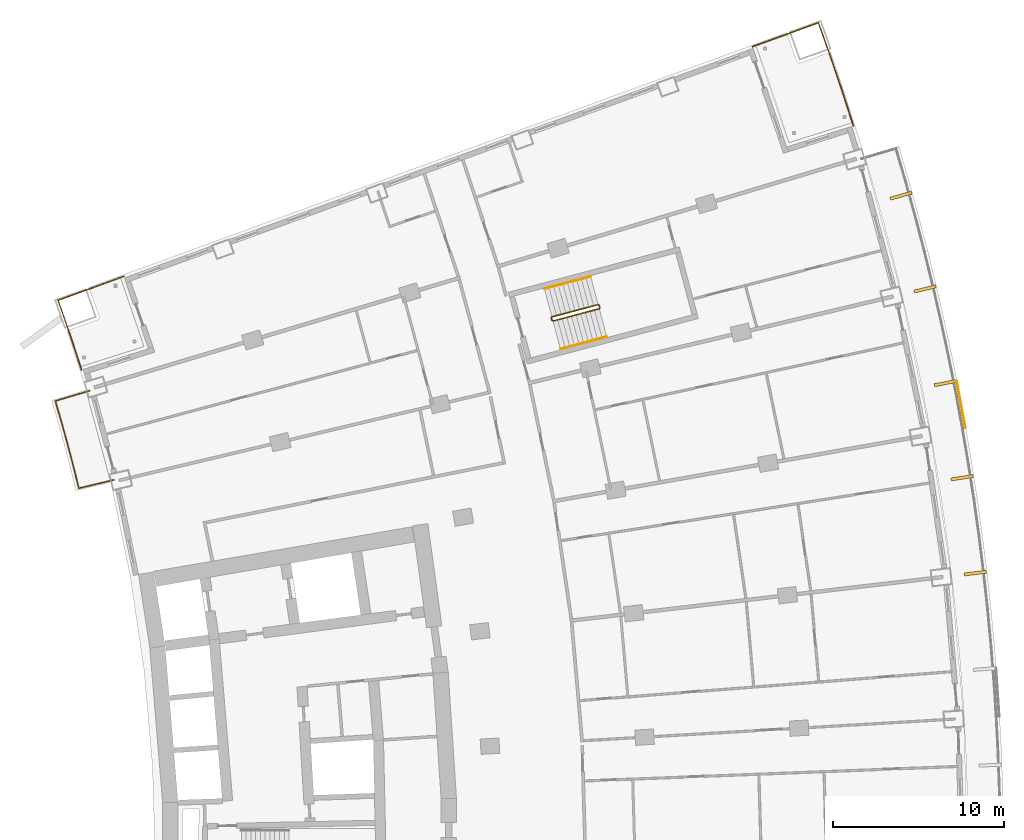
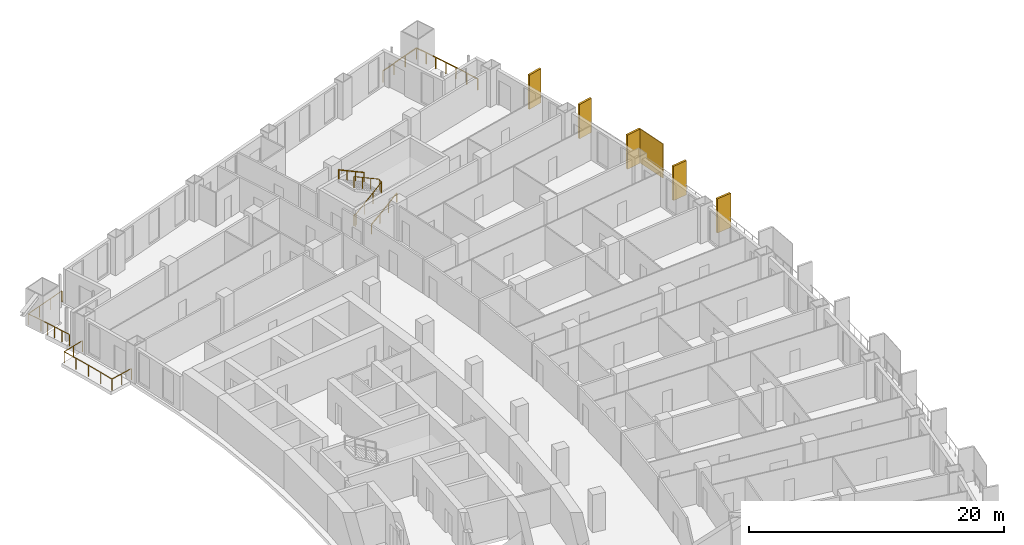
# One storey, part 25 of 25: 6 railings, 6 shading devices.
"""IFC4 building model written with IfcOpenShell, lengths in metres."""

from ifc_helpers import new_model, si_unit, direction, frame, origin, origin_2d, place, context, subcontext, project, spatial, rectangle, extrude, material, layer, layer_set, type_object, element, save


model = new_model("IFC4")

# Units and contexts
model_context = context("Model", 3, precision=1e-05, world=origin(), true_north=direction((0.0, 1.0)))
body_context = subcontext(model_context, "Body", "Model", "MODEL_VIEW")
ifc_project = project(units=[si_unit("LENGTHUNIT", "METRE"), si_unit("AREAUNIT", "SQUARE_METRE"), si_unit("VOLUMEUNIT", "CUBIC_METRE"), si_unit("PLANEANGLEUNIT", "RADIAN"), si_unit("MASSUNIT", "GRAM", prefix="KILO")], contexts=[model_context])

# Site, building, storey
site_placement = place(None, origin())
site = spatial("IfcSite", under=ifc_project, at=site_placement, CompositionType="ELEMENT")
building_placement = place(site_placement, origin())
building = spatial("IfcBuilding", under=site, at=building_placement, Name="Alderwake Tower", CompositionType="ELEMENT")
storey_placement = place(building_placement, frame((0.0, 0.0, 46.39990234375)))
storey = spatial("IfcBuildingStorey", under=building, at=storey_placement, Name="L10", CompositionType="ELEMENT", Elevation=46.39990234375)

# Railings
ifc_material_1 = material(Name="Stainless steel 316 rail and posts", Category="steel")
railing_type_1 = type_object("IfcRailingType", Name="Balcony guard 1100", PredefinedType="GUARDRAIL", material=ifc_material_1)
railing_1_placement = place(storey_placement, frame((13.5693359375, 83.343017578125, 0.0)))
element("IfcRailing", 1, at=railing_1_placement, inside=storey, type_object=railing_type_1, Name="Guard BR11", PredefinedType="GUARDRAIL", context=body_context, shape_type="SweptSolid", body=[
    extrude(rectangle(XDim=0.048095703125, YDim=0.048095703125, at=origin_2d()), frame((0.0, 0.0, 1.076171875), z_axis=(-0.972646310656, -0.232291098337, 0.0), x_axis=(0.232291098337, -0.972646310656, 0.0)), (0.0, 0.0, 1.0), 2.099853515625),
    extrude(rectangle(XDim=0.048095703125, YDim=0.048095703125, at=origin_2d()), frame((-2.04248046875, -0.48779296875, 1.076171875), z_axis=(-0.238877101641, 0.971049808358, 0.0), x_axis=(-0.971049808358, -0.238877101641, 0.0)), (0.0, 0.0, 1.0), 1.2724609375),
    extrude(rectangle(XDim=0.048095703125, YDim=0.048095703125, at=origin_2d()), frame((-2.346435546875, 0.747802734375, 1.076171875), z_axis=(-0.252487086228, 0.967600264204, 0.0), x_axis=(-0.967600264204, -0.252487086228, 0.0)), (0.0, 0.0, 1.0), 1.3720703125),
    extrude(rectangle(XDim=0.048095703125, YDim=0.048095703125, at=origin_2d()), frame((-2.69287109375, 2.075439453125, 1.076171875), z_axis=(-0.266487604617, 0.963838345671, 0.0), x_axis=(-0.963838345671, -0.266487604617, 0.0)), (0.0, 0.0, 1.0), 1.372314453125),
    extrude(rectangle(XDim=0.048095703125, YDim=0.048095703125, at=origin_2d()), frame((-3.05859375, 3.398193359375, 1.076171875), z_axis=(-0.279963157487, 0.960010744966, 0.0), x_axis=(-0.960010744966, -0.279963157487, 0.0)), (0.0, 0.0, 1.0), 1.272216796875),
    extrude(rectangle(XDim=0.048095703125, YDim=0.048095703125, at=origin_2d()), frame((-3.414794921875, 4.61962890625, 1.076171875), z_axis=(0.958091458885, 0.286462486918, 0.0), x_axis=(-0.286462486918, 0.958091458885, 0.0)), (0.0, 0.0, 1.0), 2.099853515625),
    extrude(rectangle(XDim=0.0419921875, YDim=0.0419921875, at=origin_2d()), frame((0.0, 0.0, 0.0), z_axis=(0.0, 0.0, 1.0), x_axis=(-0.972646310656, -0.232291098337, 0.0)), (0.0, 0.0, 1.0), 1.052001953125),
    extrude(rectangle(XDim=0.0419921875, YDim=0.0419921875, at=origin_2d()), frame((-1.021240234375, -0.243896484375, 0.0), z_axis=(0.0, 0.0, 1.0), x_axis=(-0.972646310656, -0.232291098337, 0.0)), (0.0, 0.0, 1.0), 1.052001953125),
    extrude(rectangle(XDim=0.0419921875, YDim=0.0419921875, at=origin_2d()), frame((-2.04248046875, -0.48779296875, 0.0), z_axis=(0.0, 0.0, 1.0), x_axis=(-0.238877101641, 0.971049808358, 0.0)), (0.0, 0.0, 1.0), 1.052001953125),
    extrude(rectangle(XDim=0.0419921875, YDim=0.0419921875, at=origin_2d()), frame((-2.346435546875, 0.747802734375, 0.0), z_axis=(0.0, 0.0, 1.0), x_axis=(-0.252487086228, 0.967600264204, 0.0)), (0.0, 0.0, 1.0), 1.052001953125),
    extrude(rectangle(XDim=0.0419921875, YDim=0.0419921875, at=origin_2d()), frame((-2.69287109375, 2.075439453125, 0.0), z_axis=(0.0, 0.0, 1.0), x_axis=(-0.266487604617, 0.963838345671, 0.0)), (0.0, 0.0, 1.0), 1.052001953125),
    extrude(rectangle(XDim=0.0419921875, YDim=0.0419921875, at=origin_2d()), frame((-3.05859375, 3.398193359375, 0.0), z_axis=(0.0, 0.0, 1.0), x_axis=(-0.279963157487, 0.960010744966, 0.0)), (0.0, 0.0, 1.0), 1.052001953125),
    extrude(rectangle(XDim=0.0419921875, YDim=0.0419921875, at=origin_2d()), frame((-3.414794921875, 4.61962890625, 0.0), z_axis=(0.0, 0.0, 1.0), x_axis=(0.958091458885, 0.286462486918, 0.0)), (0.0, 0.0, 1.0), 1.052001953125),
    extrude(rectangle(XDim=0.0419921875, YDim=0.0419921875, at=origin_2d()), frame((-2.40869140625, 4.92041015625, 0.0), z_axis=(0.0, 0.0, 1.0), x_axis=(0.958091458885, 0.286462486918, 0.0)), (0.0, 0.0, 1.0), 1.052001953125),
    extrude(rectangle(XDim=0.0419921875, YDim=0.0419921875, at=origin_2d()), frame((-1.40283203125, 5.22119140625, 0.0), z_axis=(0.0, 0.0, 1.0), x_axis=(0.958091458885, 0.286462486918, 0.0)), (0.0, 0.0, 1.0), 1.052001953125),
])
railing_2_placement = place(storey_placement, frame((56.88330078125, 104.072509765625, 0.0)))
element("IfcRailing", 2, at=railing_2_placement, inside=storey, type_object=railing_type_1, Name="Guard terrace FN", PredefinedType="GUARDRAIL", context=body_context, shape_type="SweptSolid", body=[
    extrude(rectangle(XDim=0.048095703125, YDim=0.048095703125, at=origin_2d()), frame((0.0, 0.0, 1.076171875), z_axis=(-0.307845801485, 0.951436262977, 0.0), x_axis=(-0.951436262977, -0.307845801485, 0.0)), (0.0, 0.0, 1.0), 2.292724609375),
    extrude(rectangle(XDim=0.048095703125, YDim=0.048095703125, at=origin_2d()), frame((-0.705810546875, 2.181396484375, 1.076171875), z_axis=(-0.322241552388, 0.946657478666, 0.0), x_axis=(-0.946657478666, -0.322241552388, 0.0)), (0.0, 0.0, 1.0), 2.092529296875),
    extrude(rectangle(XDim=0.048095703125, YDim=0.048095703125, at=origin_2d()), frame((-1.380126953125, 4.162353515625, 1.076171875), z_axis=(-0.335715388467, 0.941963469539, 0.0), x_axis=(-0.941963469539, -0.335715388467, 0.0)), (0.0, 0.0, 1.0), 1.99267578125),
    extrude(rectangle(XDim=0.048095703125, YDim=0.048095703125, at=origin_2d()), frame((-2.049072265625, 6.039306640625, 1.076171875), z_axis=(-0.939624669849, -0.342206779317, 0.0), x_axis=(0.342206779317, -0.939624669849, 0.0)), (0.0, 0.0, 1.0), 4.10009765625),
    extrude(rectangle(XDim=0.0419921875, YDim=0.0419921875, at=origin_2d()), frame((0.0, 0.0, 0.0), z_axis=(0.0, 0.0, 1.0), x_axis=(-0.307845801485, 0.951436262977, 0.0)), (0.0, 0.0, 1.0), 1.052001953125),
    extrude(rectangle(XDim=0.0419921875, YDim=0.0419921875, at=origin_2d()), frame((-0.35302734375, 1.0908203125, 0.0), z_axis=(0.0, 0.0, 1.0), x_axis=(-0.307845801485, 0.951436262977, 0.0)), (0.0, 0.0, 1.0), 1.052001953125),
    extrude(rectangle(XDim=0.0419921875, YDim=0.0419921875, at=origin_2d()), frame((-0.705810546875, 2.181396484375, 0.0), z_axis=(0.0, 0.0, 1.0), x_axis=(-0.322241552388, 0.946657478666, 0.0)), (0.0, 0.0, 1.0), 1.052001953125),
    extrude(rectangle(XDim=0.0419921875, YDim=0.0419921875, at=origin_2d()), frame((-1.04296875, 3.171875, 0.0), z_axis=(0.0, 0.0, 1.0), x_axis=(-0.322241552388, 0.946657478666, 0.0)), (0.0, 0.0, 1.0), 1.052001953125),
    extrude(rectangle(XDim=0.0419921875, YDim=0.0419921875, at=origin_2d()), frame((-1.380126953125, 4.162353515625, 0.0), z_axis=(0.0, 0.0, 1.0), x_axis=(-0.335715388467, 0.941963469539, 0.0)), (0.0, 0.0, 1.0), 1.052001953125),
    extrude(rectangle(XDim=0.0419921875, YDim=0.0419921875, at=origin_2d()), frame((-1.714599609375, 5.100830078125, 0.0), z_axis=(0.0, 0.0, 1.0), x_axis=(-0.335715388467, 0.941963469539, 0.0)), (0.0, 0.0, 1.0), 1.052001953125),
    extrude(rectangle(XDim=0.0419921875, YDim=0.0419921875, at=origin_2d()), frame((-2.049072265625, 6.039306640625, 0.0), z_axis=(0.0, 0.0, 1.0), x_axis=(-0.939624669849, -0.342206779317, 0.0)), (0.0, 0.0, 1.0), 1.052001953125),
    extrude(rectangle(XDim=0.0419921875, YDim=0.0419921875, at=origin_2d()), frame((-3.333251953125, 5.571533203125, 0.0), z_axis=(0.0, 0.0, 1.0), x_axis=(-0.939624669849, -0.342206779317, 0.0)), (0.0, 0.0, 1.0), 1.052001953125),
    extrude(rectangle(XDim=0.0419921875, YDim=0.0419921875, at=origin_2d()), frame((-4.617431640625, 5.10400390625, 0.0), z_axis=(0.0, 0.0, 1.0), x_axis=(-0.939624669849, -0.342206779317, 0.0)), (0.0, 0.0, 1.0), 1.052001953125),
    extrude(rectangle(XDim=0.0419921875, YDim=0.0419921875, at=origin_2d()), frame((-5.901611328125, 4.63623046875, 0.0), z_axis=(0.0, 0.0, 1.0), x_axis=(-0.939624669849, -0.342206779317, 0.0)), (0.0, 0.0, 1.0), 1.052001953125),
])
railing_3_placement = place(storey_placement, frame((11.688720703125, 89.781982421875, 0.0)))
element("IfcRailing", 3, at=railing_3_placement, inside=storey, type_object=railing_type_1, Name="Guard terrace RN", PredefinedType="GUARDRAIL", context=body_context, shape_type="SweptSolid", body=[
    extrude(rectangle(XDim=0.048095703125, YDim=0.048095703125, at=origin_2d()), frame((0.0, 0.0, 1.076171875), z_axis=(-0.307479326145, 0.951554761426, 0.0), x_axis=(-0.951554761426, -0.307479326145, 0.0)), (0.0, 0.0, 1.0), 1.6015625),
    extrude(rectangle(XDim=0.048095703125, YDim=0.048095703125, at=origin_2d()), frame((-0.492431640625, 1.52392578125, 1.076171875), z_axis=(-0.322283727344, 0.946643121292, 0.0), x_axis=(-0.946643121292, -0.322283727344, 0.0)), (0.0, 0.0, 1.0), 1.4013671875),
    extrude(rectangle(XDim=0.048095703125, YDim=0.048095703125, at=origin_2d()), frame((-0.944091796875, 2.8505859375, 1.076171875), z_axis=(-0.335468607403, 0.942051385778, 0.0), x_axis=(-0.942051385778, -0.335468607403, 0.0)), (0.0, 0.0, 1.0), 1.30126953125),
    extrude(rectangle(XDim=0.048095703125, YDim=0.048095703125, at=origin_2d()), frame((-1.380615234375, 4.076416015625, 1.076171875), z_axis=(0.939708203232, 0.341977327873, 0.0), x_axis=(-0.341977327873, 0.939708203232, 0.0)), (0.0, 0.0, 1.0), 4.10009765625),
    extrude(rectangle(XDim=0.0419921875, YDim=0.0419921875, at=origin_2d()), frame((0.0, 0.0, 0.0), z_axis=(0.0, 0.0, 1.0), x_axis=(-0.307479326145, 0.951554761426, 0.0)), (0.0, 0.0, 1.0), 1.052001953125),
    extrude(rectangle(XDim=0.0419921875, YDim=0.0419921875, at=origin_2d()), frame((-0.24609375, 0.761962890625, 0.0), z_axis=(0.0, 0.0, 1.0), x_axis=(-0.307479326145, 0.951554761426, 0.0)), (0.0, 0.0, 1.0), 1.052001953125),
    extrude(rectangle(XDim=0.0419921875, YDim=0.0419921875, at=origin_2d()), frame((-0.492431640625, 1.52392578125, 0.0), z_axis=(0.0, 0.0, 1.0), x_axis=(-0.322283727344, 0.946643121292, 0.0)), (0.0, 0.0, 1.0), 1.052001953125),
    extrude(rectangle(XDim=0.0419921875, YDim=0.0419921875, at=origin_2d()), frame((-0.71826171875, 2.187255859375, 0.0), z_axis=(0.0, 0.0, 1.0), x_axis=(-0.322283727344, 0.946643121292, 0.0)), (0.0, 0.0, 1.0), 1.052001953125),
    extrude(rectangle(XDim=0.0419921875, YDim=0.0419921875, at=origin_2d()), frame((-0.944091796875, 2.8505859375, 0.0), z_axis=(0.0, 0.0, 1.0), x_axis=(-0.335468607403, 0.942051385778, 0.0)), (0.0, 0.0, 1.0), 1.052001953125),
    extrude(rectangle(XDim=0.0419921875, YDim=0.0419921875, at=origin_2d()), frame((-1.380615234375, 4.076416015625, 0.0), z_axis=(0.0, 0.0, 1.0), x_axis=(0.939708203232, 0.341977327873, 0.0)), (0.0, 0.0, 1.0), 1.052001953125),
    extrude(rectangle(XDim=0.0419921875, YDim=0.0419921875, at=origin_2d()), frame((-0.096435546875, 4.543701171875, 0.0), z_axis=(0.0, 0.0, 1.0), x_axis=(0.939708203232, 0.341977327873, 0.0)), (0.0, 0.0, 1.0), 1.052001953125),
    extrude(rectangle(XDim=0.0419921875, YDim=0.0419921875, at=origin_2d()), frame((1.18798828125, 5.01123046875, 0.0), z_axis=(0.0, 0.0, 1.0), x_axis=(0.939708203232, 0.341977327873, 0.0)), (0.0, 0.0, 1.0), 1.052001953125),
    extrude(rectangle(XDim=0.0419921875, YDim=0.0419921875, at=origin_2d()), frame((2.47216796875, 5.478515625, 0.0), z_axis=(0.0, 0.0, 1.0), x_axis=(0.939708203232, 0.341977327873, 0.0)), (0.0, 0.0, 1.0), 1.052001953125),
])

# Shading devices
ifc_material_2 = material(Name="Bronze anodised aluminium", Category="aluminium")
ifc_layer_1 = layer(ifc_material_2, 0.179931640625)
ifc_layer_set_1 = layer_set([ifc_layer_1], Name="Facade fin 1300")
shading_device_type_1 = type_object("IfcShadingDeviceType", Name="Facade fin 1300", PredefinedType="USERDEFINED", material=ifc_layer_set_1)
for number, where, z_axis, x_axis, name in (
    (4, (64.013916015625, 77.883056640625, 0.0), (0.0, 0.0, 1.0), (0.993198315083, 0.116434990084, 0.0), "Fin"),
    (5, (63.248291015625, 83.47119140625, 0.0), (0.0, 0.0, 1.0), (0.987918787879, 0.154972476771, 0.0), "Fin"),
    (6, (62.268798828125, 89.0107421875, 0.0), (0.0, 0.0, 1.0), (0.981163751315, 0.193177879441, 0.0), "Fin"),
    (7, (61.07177734375, 94.5224609375, 0.0), (0.0, 0.0, 1.0), (0.972908790564, 0.231189284448, 0.0), "Fin"),
    (8, (59.661376953125, 99.9833984375, 0.0), (0.0, 0.0, 1.0), (0.96318180783, 0.268850897459, 0.0), "Fin"),
):
    element("IfcShadingDevice", number, at=place(storey_placement, frame(where, z_axis=z_axis, x_axis=x_axis)), inside=storey, type_object=shading_device_type_1, Name=name, ObjectType="FIN", PredefinedType="USERDEFINED", context=body_context, shape_type="SweptSolid", body=[
        extrude(rectangle(XDim=1.300048828125, YDim=0.179931640625, at=origin_2d()), origin(), (0.0, 0.0, 1.0), 3.280029296875),
    ])
ifc_material_3 = material(Name="Perforated bronze anodised aluminium", Category="aluminium")
ifc_layer_2 = layer(ifc_material_3, 0.050048828125)
ifc_layer_set_2 = layer_set([ifc_layer_2], Name="Perforated screen panel")
shading_device_type_2 = type_object("IfcShadingDeviceType", Name="Perforated screen panel", PredefinedType="USERDEFINED", material=ifc_layer_set_2)
shading_device_placement = place(storey_placement, frame((63.1904296875, 87.752197265625, 0.0), z_axis=(0.0, 0.0, 1.0), x_axis=(0.982991488043, 0.183651121519, 0.0)))
element("IfcShadingDevice", 9, at=shading_device_placement, inside=storey, type_object=shading_device_type_2, Name="Screen panel", ObjectType="SCREEN", PredefinedType="USERDEFINED", context=body_context, shape_type="SweptSolid", body=[
    extrude(rectangle(XDim=0.050048828125, YDim=2.826171875, at=origin_2d()), origin(), (0.0, 0.0, 1.0), 3.280029296875),
])

# Railings
ifc_material_4 = material(Name="Stainless steel guard", Category="steel")
railing_type_2 = type_object("IfcRailingType", Name="Stair guard 1100", PredefinedType="GUARDRAIL", material=ifc_material_4)
railing_4_placement = place(storey_placement, frame((39.23291015625, 92.6806640625, 0.0)))
element("IfcRailing", 10, at=railing_4_placement, inside=storey, type_object=railing_type_2, Name="L10 ST-A stair guard 1", PredefinedType="GUARDRAIL", context=body_context, shape_type="SweptSolid", body=[
    extrude(rectangle(XDim=0.048095703125, YDim=0.048095703125, at=origin_2d()), frame((0.0, 0.0, 1.076171875), z_axis=(-0.257055032184, 0.966396766566, 0.0), x_axis=(-0.966396766566, -0.257055032184, 0.0)), (0.0, 0.0, 1.0), 0.150146484375),
    extrude(rectangle(XDim=0.048095703125, YDim=0.048095703125, at=origin_2d()), frame((-0.03857421875, 0.14501953125, 1.076171875), z_axis=(0.379152066478, -0.68506938173, 0.622031874345), x_axis=(0.874937996095, 0.484234966715, 0.0)), (0.0, 0.0, 1.0), 0.263427734375),
    extrude(rectangle(XDim=0.048095703125, YDim=0.048095703125, at=origin_2d()), frame((0.061279296875, -0.035400390625, 1.23974609375), z_axis=(0.834290631165, 0.222236594766, 0.504549342183), x_axis=(-0.257402139082, 0.966304371715, 0.0)), (0.0, 0.0, 1.0), 3.242919921875),
    extrude(rectangle(XDim=0.048095703125, YDim=0.048095703125, at=origin_2d()), frame((2.766845703125, 0.685302734375, 2.8759765625), z_axis=(0.500220121494, 0.865898279276, 0.0), x_axis=(-0.865898279276, 0.500220121494, 0.0)), (0.0, 0.0, 1.0), 0.07080078125),
    extrude(rectangle(XDim=0.048095703125, YDim=0.048095703125, at=origin_2d()), frame((2.80224609375, 0.74658203125, 2.8759765625), z_axis=(-0.257459803502, 0.966289009345, 0.0), x_axis=(-0.966289009345, -0.257459803502, 0.0)), (0.0, 0.0, 1.0), 0.14990234375),
    extrude(rectangle(XDim=0.048095703125, YDim=0.048095703125, at=origin_2d()), frame((2.763671875, 0.891357421875, 2.8759765625), z_axis=(-0.34252489212, 0.200034536998, 0.917966710881), x_axis=(-0.504300490226, -0.863528236688, 0.0)), (0.0, 0.0, 1.0), 0.17822265625),
    extrude(rectangle(XDim=0.048095703125, YDim=0.048095703125, at=origin_2d()), frame((2.70263671875, 0.927001953125, 3.03955078125), z_axis=(-0.834281824786, -0.222214197128, 0.504573768072), x_axis=(0.257380452725, -0.966310148221, 0.0)), (0.0, 0.0, 1.0), 3.2431640625),
    extrude(rectangle(XDim=0.0419921875, YDim=0.0419921875, at=origin_2d()), frame((0.0, 0.0, 0.0), z_axis=(0.0, 0.0, 1.0), x_axis=(-0.257055032184, 0.966396766566, 0.0)), (0.0, 0.0, 1.0), 1.052001953125),
    extrude(rectangle(XDim=0.0419921875, YDim=0.0419921875, at=origin_2d()), frame((-0.03857421875, 0.14501953125, 0.0), z_axis=(0.0, 0.0, 1.0), x_axis=(0.484234966715, -0.874937996095, 0.0)), (0.0, 0.0, 1.0), 1.052001953125),
    extrude(rectangle(XDim=0.0419921875, YDim=0.0419921875, at=origin_2d()), frame((0.061279296875, -0.035400390625, 0.163818359375), z_axis=(0.0, 0.0, 1.0), x_axis=(0.966304371715, 0.257402139082, 0.0)), (0.0, 0.0, 1.0), 1.052001953125),
    extrude(rectangle(XDim=0.0419921875, YDim=0.0419921875, at=origin_2d()), frame((0.963134765625, 0.204833984375, 0.709228515625), z_axis=(0.0, 0.0, 1.0), x_axis=(0.966304371715, 0.257402139082, 0.0)), (0.0, 0.0, 1.0), 1.052001953125),
    extrude(rectangle(XDim=0.0419921875, YDim=0.0419921875, at=origin_2d()), frame((1.864990234375, 0.445068359375, 1.254638671875), z_axis=(0.0, 0.0, 1.0), x_axis=(0.966304371715, 0.257402139082, 0.0)), (0.0, 0.0, 1.0), 1.052001953125),
    extrude(rectangle(XDim=0.0419921875, YDim=0.0419921875, at=origin_2d()), frame((2.766845703125, 0.685302734375, 1.800048828125), z_axis=(0.0, 0.0, 1.0), x_axis=(0.500220121494, 0.865898279276, 0.0)), (0.0, 0.0, 1.0), 1.052001953125),
    extrude(rectangle(XDim=0.0419921875, YDim=0.0419921875, at=origin_2d()), frame((2.80224609375, 0.74658203125, 1.800048828125), z_axis=(0.0, 0.0, 1.0), x_axis=(-0.257459803502, 0.966289009345, 0.0)), (0.0, 0.0, 1.0), 1.052001953125),
    extrude(rectangle(XDim=0.0419921875, YDim=0.0419921875, at=origin_2d()), frame((2.763671875, 0.891357421875, 1.800048828125), z_axis=(0.0, 0.0, 1.0), x_axis=(-0.863528236688, 0.504300490226, 0.0)), (0.0, 0.0, 1.0), 1.052001953125),
    extrude(rectangle(XDim=0.0419921875, YDim=0.0419921875, at=origin_2d()), frame((2.70263671875, 0.927001953125, 1.963623046875), z_axis=(0.0, 0.0, 1.0), x_axis=(-0.966310148221, -0.257380452725, 0.0)), (0.0, 0.0, 1.0), 1.052001953125),
    extrude(rectangle(XDim=0.0419921875, YDim=0.0419921875, at=origin_2d()), frame((1.80078125, 0.686767578125, 2.509033203125), z_axis=(0.0, 0.0, 1.0), x_axis=(-0.966310148221, -0.257380452725, 0.0)), (0.0, 0.0, 1.0), 1.052001953125),
    extrude(rectangle(XDim=0.0419921875, YDim=0.0419921875, at=origin_2d()), frame((0.898681640625, 0.446533203125, 3.0546875), z_axis=(0.0, 0.0, 1.0), x_axis=(-0.966310148221, -0.257380452725, 0.0)), (0.0, 0.0, 1.0), 1.052001953125),
    extrude(rectangle(XDim=0.0419921875, YDim=0.0419921875, at=origin_2d()), frame((-0.003173828125, 0.206298828125, 3.60009765625), z_axis=(0.0, 0.0, 1.0), x_axis=(-0.966310148221, -0.257380452725, 0.0)), (0.0, 0.0, 1.0), 1.052001953125),
])
ifc_material_5 = material(Name="Stainless steel handrail", Category="steel")
railing_type_3 = type_object("IfcRailingType", Name="Stair handrail 900", PredefinedType="HANDRAIL", material=ifc_material_5)
railing_5_placement = place(storey_placement, frame((39.731689453125, 91.002685546875, 0.163818359375)))
element("IfcRailing", 11, at=railing_5_placement, inside=storey, type_object=railing_type_3, Name="L10 ST-A stair handrail 1", PredefinedType="HANDRAIL", context=body_context, shape_type="SweptSolid", body=[
    extrude(rectangle(XDim=0.048095703125, YDim=0.048095703125, at=origin_2d()), frame((0.0, 0.0, 0.8759765625), z_axis=(0.834290631165, 0.222236594766, 0.504549342183), x_axis=(-0.257402139082, 0.966304371715, 0.0)), (0.0, 0.0, 1.0), 3.242919921875),
    extrude(rectangle(XDim=0.0419921875, YDim=0.0419921875, at=origin_2d()), frame((0.0, 0.0, 0.0), z_axis=(0.0, 0.0, 1.0), x_axis=(0.966304371715, 0.257402139082, 0.0)), (0.0, 0.0, 1.0), 0.851806640625),
    extrude(rectangle(XDim=0.0419921875, YDim=0.0419921875, at=origin_2d()), frame((0.90185546875, 0.240234375, 0.54541015625), z_axis=(0.0, 0.0, 1.0), x_axis=(0.966304371715, 0.257402139082, 0.0)), (0.0, 0.0, 1.0), 0.851806640625),
    extrude(rectangle(XDim=0.0419921875, YDim=0.0419921875, at=origin_2d()), frame((1.8037109375, 0.48046875, 1.0908203125), z_axis=(0.0, 0.0, 1.0), x_axis=(0.966304371715, 0.257402139082, 0.0)), (0.0, 0.0, 1.0), 0.851806640625),
    extrude(rectangle(XDim=0.0419921875, YDim=0.0419921875, at=origin_2d()), frame((2.70556640625, 0.720703125, 1.63623046875), z_axis=(0.0, 0.0, 1.0), x_axis=(0.966304371715, 0.257402139082, 0.0)), (0.0, 0.0, 1.0), 0.851806640625),
])
railing_6_placement = place(storey_placement, frame((41.497802734375, 95.250244140625, 1.963623046875)))
element("IfcRailing", 12, at=railing_6_placement, inside=storey, type_object=railing_type_3, Name="L10 ST-A stair handrail 2", PredefinedType="HANDRAIL", context=body_context, shape_type="SweptSolid", body=[
    extrude(rectangle(XDim=0.048095703125, YDim=0.048095703125, at=origin_2d()), frame((0.0, 0.0, 0.8759765625), z_axis=(-0.834258940753, -0.22222815314, 0.504605457487), x_axis=(0.257402139082, -0.966304371715, 0.0)), (0.0, 0.0, 1.0), 3.2431640625),
    extrude(rectangle(XDim=0.0419921875, YDim=0.0419921875, at=origin_2d()), frame((0.0, 0.0, 0.0), z_axis=(0.0, 0.0, 1.0), x_axis=(-0.966304371715, -0.257402139082, 0.0)), (0.0, 0.0, 1.0), 0.851806640625),
    extrude(rectangle(XDim=0.0419921875, YDim=0.0419921875, at=origin_2d()), frame((-0.90185546875, -0.240234375, 0.54541015625), z_axis=(0.0, 0.0, 1.0), x_axis=(-0.966304371715, -0.257402139082, 0.0)), (0.0, 0.0, 1.0), 0.851806640625),
    extrude(rectangle(XDim=0.0419921875, YDim=0.0419921875, at=origin_2d()), frame((-1.8037109375, -0.48046875, 1.091064453125), z_axis=(0.0, 0.0, 1.0), x_axis=(-0.966304371715, -0.257402139082, 0.0)), (0.0, 0.0, 1.0), 0.851806640625),
    extrude(rectangle(XDim=0.0419921875, YDim=0.0419921875, at=origin_2d()), frame((-2.70556640625, -0.720703125, 1.636474609375), z_axis=(0.0, 0.0, 1.0), x_axis=(-0.966304371715, -0.257402139082, 0.0)), (0.0, 0.0, 1.0), 0.851806640625),
])

save(model, "model.ifc")
